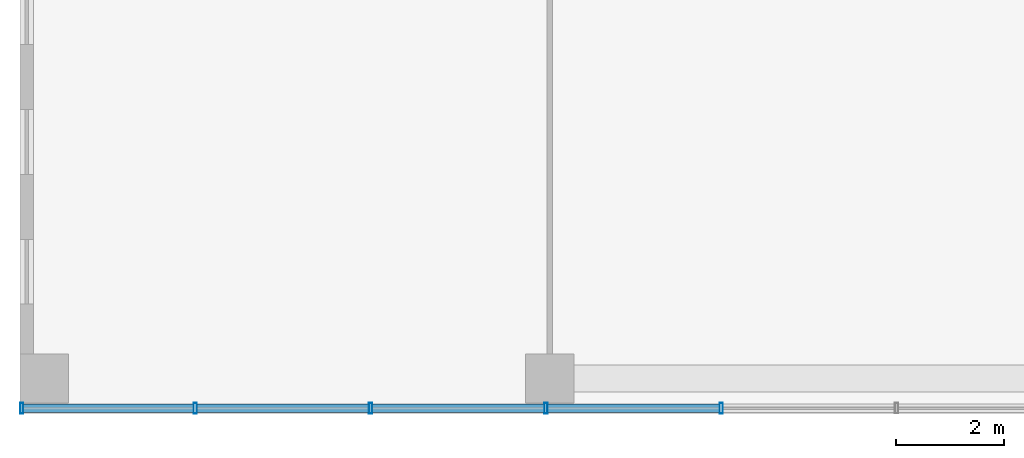
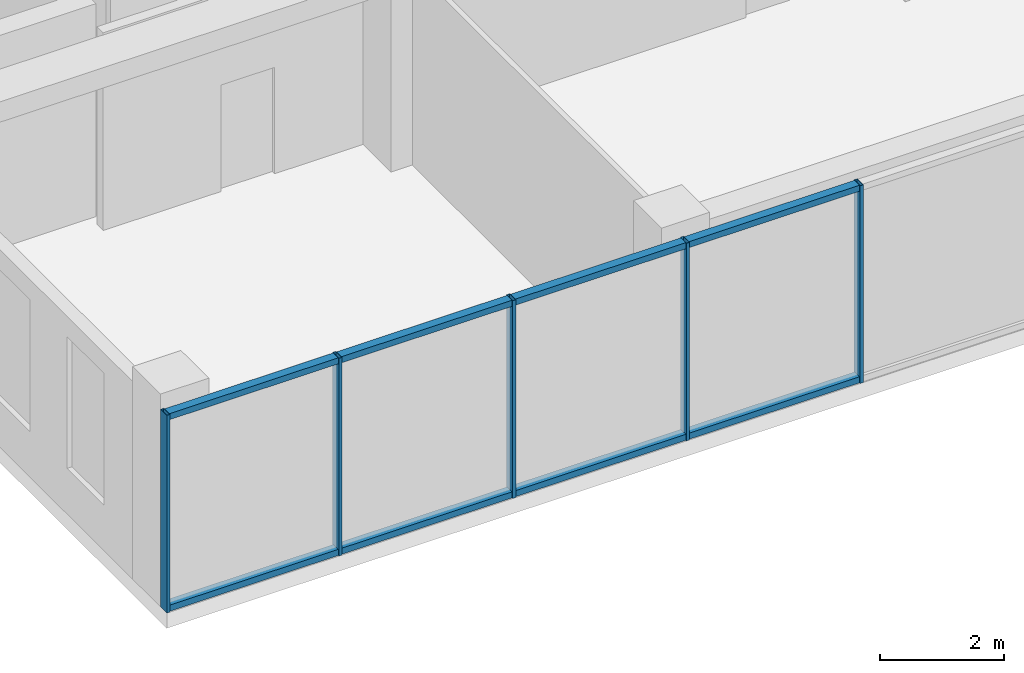
# One storey, part 2 of 36: 13 members, 1 element without a shape of its own.
"""IFC4 building model written with IfcOpenShell, lengths in metres."""

from ifc_helpers import new_model, si_unit, direction, frame, origin, origin_2d, place, context, subcontext, project, spatial, hollow_rectangle, extrude, material, layer, layer_set, material_profile, profile_set, type_object, element, aggregate, save


model = new_model("IFC4")

# Units and contexts
model_context = context("Model", 3, precision=1e-05, world=origin(), true_north=direction((0.0, 1.0)))
body_context = subcontext(model_context, "Body", "Model", "MODEL_VIEW")
ifc_project = project(units=[si_unit("LENGTHUNIT", "METRE"), si_unit("AREAUNIT", "SQUARE_METRE"), si_unit("VOLUMEUNIT", "CUBIC_METRE"), si_unit("PLANEANGLEUNIT", "RADIAN"), si_unit("MASSUNIT", "GRAM", prefix="KILO")], contexts=[model_context])

# Site, building, storey
site_placement = place(None, origin())
site = spatial("IfcSite", under=ifc_project, at=site_placement, CompositionType="ELEMENT")
building_placement = place(site_placement, origin())
building = spatial("IfcBuilding", under=site, at=building_placement, Name="Nzadi Deep Aquarium and Research Tower", CompositionType="ELEMENT")
storey_placement = place(building_placement, frame((0.0, 0.0, 44.5)))
storey = spatial("IfcBuildingStorey", under=building, at=storey_placement, Name="L08", CompositionType="ELEMENT", Elevation=44.5)

# Curtain wall, members
ifc_material_1 = material(Name="Aluminium unitised frame", Category="aluminium")
ifc_layer = layer(ifc_material_1, 0.199951171875)
ifc_layer_set = layer_set([ifc_layer], Name="Aluminium unitised frame")
curtain_wall_type = type_object("IfcCurtainWallType", Name="Curtain wall Unitised 200", PredefinedType="NOTDEFINED", material=ifc_layer_set)
curtain_wall_placement = place(storey_placement, origin())
curtain_wall = element("IfcCurtainWall", 1, at=curtain_wall_placement, inside=storey, type_object=curtain_wall_type, Name="Unitised curtain wall blade A south L08", PredefinedType="NOTDEFINED")
ifc_material_2 = material(Name="Aluminium unitised frame", Category="aluminium")
ifc_material_profile_1 = material_profile(ifc_material_2, hollow_rectangle(XDim=0.199951171875, YDim=0.06005859375, WallThickness=0.0048828125, at=origin_2d()))
ifc_profile_set_1 = profile_set([ifc_material_profile_1], Name="Aluminium unitised frame")
member_type_1 = type_object("IfcMemberType", Name="Mullion 60x200 Unitised", PredefinedType="MULLION", material=ifc_profile_set_1)
member_1_placement = place(storey_placement, frame((-0.16943359375, -0.10009765625, 0.0), z_axis=(0.0, 0.0, 1.0), x_axis=(0.0, 1.0, 0.0)))
member_1 = element("IfcMember", 2, at=member_1_placement, type_object=member_type_1, Name="CW022 mullion 1", PredefinedType="MULLION", context=body_context, shape_type="SweptSolid", body=[
    extrude(hollow_rectangle(XDim=0.199951171875, YDim=0.06005859375, WallThickness=0.0048828125, at=origin_2d()), origin(), (0.0, 0.0, 1.0), 3.89990234375),
])
member_2_placement = place(storey_placement, frame((3.043212890625, -0.10009765625, 0.0), z_axis=(0.0, 0.0, 1.0), x_axis=(0.0, 1.0, 0.0)))
member_2 = element("IfcMember", 3, at=member_2_placement, type_object=member_type_1, Name="CW022 mullion 2", PredefinedType="MULLION", context=body_context, shape_type="SweptSolid", body=[
    extrude(hollow_rectangle(XDim=0.199951171875, YDim=0.06005859375, WallThickness=0.0048828125, at=origin_2d()), origin(), (0.0, 0.0, 1.0), 3.89990234375),
])
member_3_placement = place(storey_placement, frame((6.28662109375, -0.10009765625, 0.0), z_axis=(0.0, 0.0, 1.0), x_axis=(0.0, 1.0, 0.0)))
member_3 = element("IfcMember", 4, at=member_3_placement, type_object=member_type_1, Name="CW022 mullion 3", PredefinedType="MULLION", context=body_context, shape_type="SweptSolid", body=[
    extrude(hollow_rectangle(XDim=0.199951171875, YDim=0.06005859375, WallThickness=0.0048828125, at=origin_2d()), origin(), (0.0, 0.0, 1.0), 3.89990234375),
])
member_4_placement = place(storey_placement, frame((9.530029296875, -0.10009765625, 0.0), z_axis=(0.0, 0.0, 1.0), x_axis=(0.0, 1.0, 0.0)))
member_4 = element("IfcMember", 5, at=member_4_placement, type_object=member_type_1, Name="CW022 mullion 4", PredefinedType="MULLION", context=body_context, shape_type="SweptSolid", body=[
    extrude(hollow_rectangle(XDim=0.199951171875, YDim=0.06005859375, WallThickness=0.0048828125, at=origin_2d()), origin(), (0.0, 0.0, 1.0), 3.89990234375),
])
member_5_placement = place(storey_placement, frame((12.7734375, -0.10009765625, 0.0), z_axis=(0.0, 0.0, 1.0), x_axis=(0.0, 1.0, 0.0)))
member_5 = element("IfcMember", 6, at=member_5_placement, type_object=member_type_1, Name="CW022 mullion 5", PredefinedType="MULLION", context=body_context, shape_type="SweptSolid", body=[
    extrude(hollow_rectangle(XDim=0.199951171875, YDim=0.06005859375, WallThickness=0.0048828125, at=origin_2d()), origin(), (0.0, 0.0, 1.0), 3.89990234375),
])
ifc_material_3 = material(Name="Aluminium unitised frame", Category="aluminium")
ifc_material_profile_2 = material_profile(ifc_material_3, hollow_rectangle(XDim=0.159912109375, YDim=0.1201171875, WallThickness=0.0048828125, at=origin_2d()))
ifc_profile_set_2 = profile_set([ifc_material_profile_2], Name="Aluminium unitised frame")
member_type_2 = type_object("IfcMemberType", Name="Transom 120x160 Unitised", PredefinedType="MULLION", material=ifc_profile_set_2)
member_6_placement = place(storey_placement, frame((-0.139892578125, -0.10009765625, 0.06005859375), z_axis=(1.0, 0.0, 0.0), x_axis=(0.0, 1.0, 0.0)))
member_6 = element("IfcMember", 7, at=member_6_placement, type_object=member_type_2, Name="CW022 transom 1.1", PredefinedType="MULLION", context=body_context, shape_type="SweptSolid", body=[
    extrude(hollow_rectangle(XDim=0.159912109375, YDim=0.1201171875, WallThickness=0.0048828125, at=origin_2d()), origin(), (0.0, 0.0, 1.0), 3.1533203125),
])
member_7_placement = place(storey_placement, frame((-0.139892578125, -0.10009765625, 3.840087890625), z_axis=(1.0, 0.0, 0.0), x_axis=(0.0, 1.0, 0.0)))
member_7 = element("IfcMember", 8, at=member_7_placement, type_object=member_type_2, Name="CW022 transom 1.2", PredefinedType="MULLION", context=body_context, shape_type="SweptSolid", body=[
    extrude(hollow_rectangle(XDim=0.159912109375, YDim=0.1201171875, WallThickness=0.0048828125, at=origin_2d()), origin(), (0.0, 0.0, 1.0), 3.1533203125),
])
member_8_placement = place(storey_placement, frame((3.0732421875, -0.10009765625, 0.06005859375), z_axis=(1.0, 0.0, 0.0), x_axis=(0.0, 1.0, 0.0)))
member_8 = element("IfcMember", 9, at=member_8_placement, type_object=member_type_2, Name="CW022 transom 2.1", PredefinedType="MULLION", context=body_context, shape_type="SweptSolid", body=[
    extrude(hollow_rectangle(XDim=0.159912109375, YDim=0.1201171875, WallThickness=0.0048828125, at=origin_2d()), origin(), (0.0, 0.0, 1.0), 3.183349609375),
])
member_9_placement = place(storey_placement, frame((3.0732421875, -0.10009765625, 3.840087890625), z_axis=(1.0, 0.0, 0.0), x_axis=(0.0, 1.0, 0.0)))
member_9 = element("IfcMember", 10, at=member_9_placement, type_object=member_type_2, Name="CW022 transom 2.2", PredefinedType="MULLION", context=body_context, shape_type="SweptSolid", body=[
    extrude(hollow_rectangle(XDim=0.159912109375, YDim=0.1201171875, WallThickness=0.0048828125, at=origin_2d()), origin(), (0.0, 0.0, 1.0), 3.183349609375),
])
member_10_placement = place(storey_placement, frame((6.316650390625, -0.10009765625, 0.06005859375), z_axis=(1.0, 0.0, 0.0), x_axis=(0.0, 1.0, 0.0)))
member_10 = element("IfcMember", 11, at=member_10_placement, type_object=member_type_2, Name="CW022 transom 3.1", PredefinedType="MULLION", context=body_context, shape_type="SweptSolid", body=[
    extrude(hollow_rectangle(XDim=0.159912109375, YDim=0.1201171875, WallThickness=0.0048828125, at=origin_2d()), origin(), (0.0, 0.0, 1.0), 3.183349609375),
])
member_11_placement = place(storey_placement, frame((6.316650390625, -0.10009765625, 3.840087890625), z_axis=(1.0, 0.0, 0.0), x_axis=(0.0, 1.0, 0.0)))
member_11 = element("IfcMember", 12, at=member_11_placement, type_object=member_type_2, Name="CW022 transom 3.2", PredefinedType="MULLION", context=body_context, shape_type="SweptSolid", body=[
    extrude(hollow_rectangle(XDim=0.159912109375, YDim=0.1201171875, WallThickness=0.0048828125, at=origin_2d()), origin(), (0.0, 0.0, 1.0), 3.183349609375),
])
member_12_placement = place(storey_placement, frame((9.56005859375, -0.10009765625, 0.06005859375), z_axis=(1.0, 0.0, 0.0), x_axis=(0.0, 1.0, 0.0)))
member_12 = element("IfcMember", 13, at=member_12_placement, type_object=member_type_2, Name="CW022 transom 4.1", PredefinedType="MULLION", context=body_context, shape_type="SweptSolid", body=[
    extrude(hollow_rectangle(XDim=0.159912109375, YDim=0.1201171875, WallThickness=0.0048828125, at=origin_2d()), origin(), (0.0, 0.0, 1.0), 3.183349609375),
])
member_13_placement = place(storey_placement, frame((9.56005859375, -0.10009765625, 3.840087890625), z_axis=(1.0, 0.0, 0.0), x_axis=(0.0, 1.0, 0.0)))
member_13 = element("IfcMember", 14, at=member_13_placement, type_object=member_type_2, Name="CW022 transom 4.2", PredefinedType="MULLION", context=body_context, shape_type="SweptSolid", body=[
    extrude(hollow_rectangle(XDim=0.159912109375, YDim=0.1201171875, WallThickness=0.0048828125, at=origin_2d()), origin(), (0.0, 0.0, 1.0), 3.183349609375),
])
aggregate(curtain_wall, [member_1, member_2, member_3, member_4, member_5, member_6, member_7, member_8, member_9, member_10, member_11, member_12, member_13])

save(model, "model.ifc")
